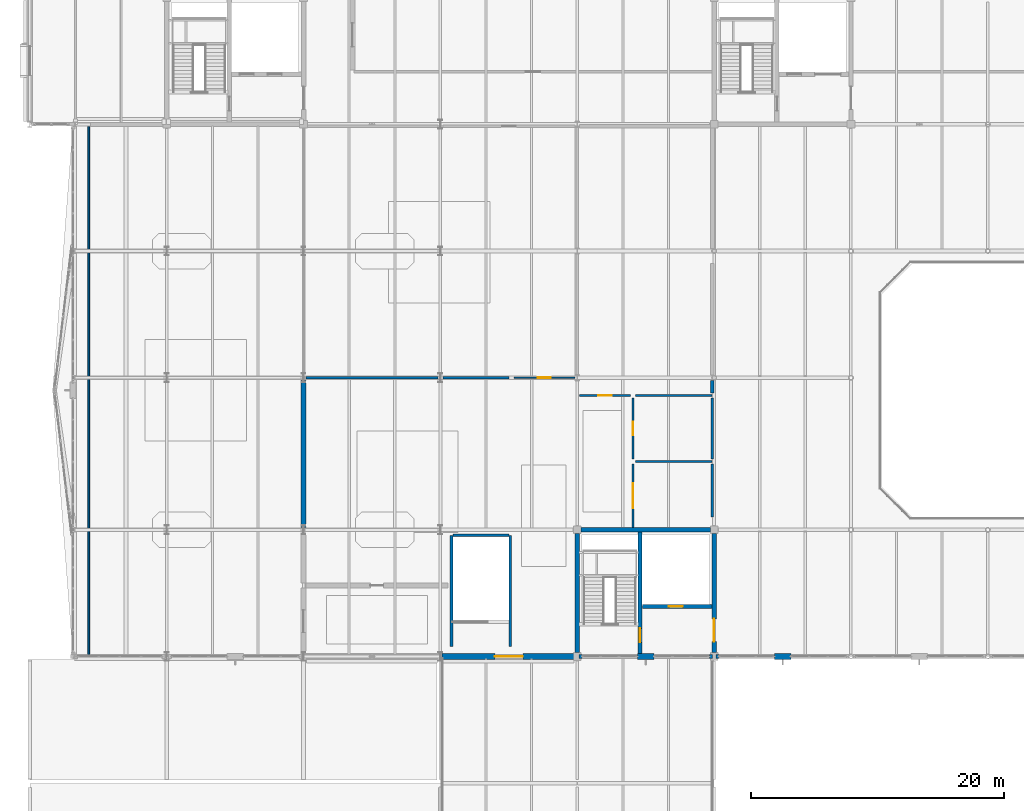
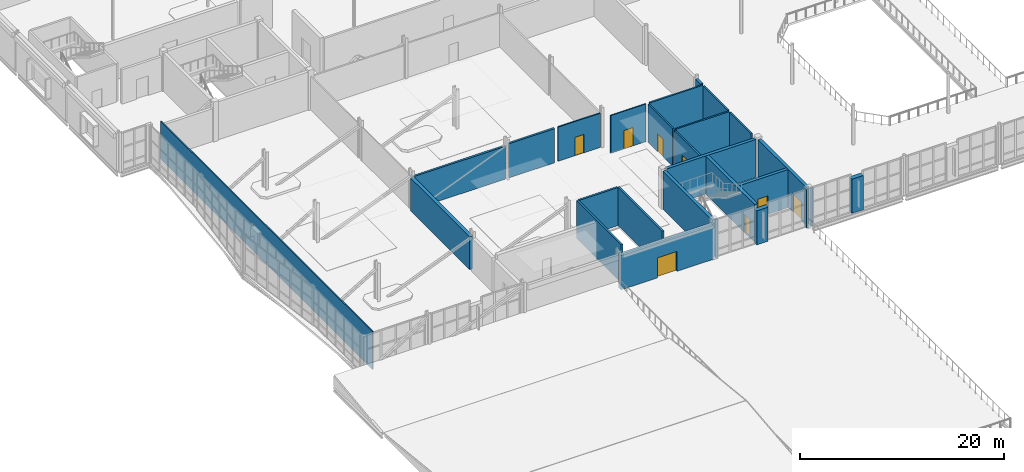
# One storey, part 84 of 100: 27 walls, 8 doors, 8 openings.
"""IFC4 building model written with IfcOpenShell, lengths in metres."""

from ifc_helpers import new_model, si_unit, direction, frame, frame_2d, origin, place, context, subcontext, project, spatial, rectangle, extrude, material, layer, layer_set, type_object, element, fill, save


model = new_model("IFC4")

# Units and contexts
model_context = context("Model", 3, precision=1e-05, world=origin(), true_north=direction((0.0, 1.0)))
body_context = subcontext(model_context, "Body", "Model", "MODEL_VIEW")
ifc_project = project(units=[si_unit("LENGTHUNIT", "METRE"), si_unit("AREAUNIT", "SQUARE_METRE"), si_unit("VOLUMEUNIT", "CUBIC_METRE"), si_unit("PLANEANGLEUNIT", "RADIAN"), si_unit("MASSUNIT", "GRAM", prefix="KILO")], contexts=[model_context])

# Site, building, storey
site_placement = place(None, origin())
site = spatial("IfcSite", under=ifc_project, at=site_placement, CompositionType="ELEMENT")
building_placement = place(site_placement, origin())
building = spatial("IfcBuilding", under=site, at=building_placement, Name="Tasgan Crest Museum", CompositionType="ELEMENT")
storey_placement = place(building_placement, frame((0.0, 0.0, 9.60009765625)))
storey = spatial("IfcBuildingStorey", under=building, at=storey_placement, Name="L02", CompositionType="ELEMENT", Elevation=9.60009765625)

# Walls
ifc_material_1 = material(Name="Concrete C40/50", Category="concrete")
ifc_layer_1 = layer(ifc_material_1, 0.35009765625, Name="WL-CORE-350")
ifc_layer_set_1 = layer_set([ifc_layer_1], Name="Concrete C40/50")
wall_type_1 = type_object("IfcWallType", Name="WL-CORE-350", PredefinedType="SHEAR", material=ifc_layer_set_1)
wall_1_placement = place(storey_placement, frame((43.5, 50.0, 0.0), z_axis=(0.0, 0.0, 1.0), x_axis=(1.0, 0.0, 0.0)))
element("IfcWall", 1, at=wall_1_placement, inside=storey, type_object=wall_type_1, Name="South-West Foyer & Paleontology Core north shear wall L02", PredefinedType="SHEAR", context=body_context, shape_type="SweptSolid", body=[
    extrude(rectangle(XDim=10.199951171875, YDim=0.35009765625, at=frame_2d((5.10009765625, 0.0))), origin(), (0.0, 0.0, 1.0), 4.559814453125),
])
wall_2_placement = place(storey_placement, frame((43.199951171875, 40.300048828125, 0.0), z_axis=(0.0, 0.0, 1.0), x_axis=(0.0, 1.0, 0.0)))
element("IfcWall", 2, at=wall_2_placement, inside=storey, type_object=wall_type_1, Name="South-West Foyer & Paleontology Core west shear wall L02", PredefinedType="SHEAR", context=body_context, shape_type="SweptSolid", body=[
    extrude(rectangle(XDim=9.39990234375, YDim=0.35009765625, at=frame_2d((4.699951171875, 0.0))), origin(), (0.0, 0.0, 1.0), 4.559814453125),
])

# Wall, opening, door
wall_3_placement = place(storey_placement, frame((54.0, 40.300048828125, 0.0), z_axis=(0.0, 0.0, 1.0), x_axis=(0.0, 1.0, 0.0)))
wall_3 = element("IfcWall", 3, at=wall_3_placement, inside=storey, type_object=wall_type_1, Name="South-West Foyer & Paleontology Core east shear wall L02", PredefinedType="SHEAR", context=body_context, shape_type="SweptSolid", body=[
    extrude(rectangle(XDim=9.39990234375, YDim=0.35009765625, at=frame_2d((4.699951171875, 0.0))), origin(), (0.0, 0.0, 1.0), 4.559814453125),
])
opening_1_placement = place(wall_3_placement, frame((0.8798828125, 0.0, 0.0)))
opening_1 = element("IfcOpeningElement", 4, at=opening_1_placement, cuts=wall_3, Name="Opening LD-SW-L02", PredefinedType="OPENING", context=body_context, shape_type="SweptSolid", body=[
    extrude(rectangle(XDim=1.800048828125, YDim=2.25, at=frame_2d((0.89990234375, 1.125))), frame((0.0, 0.18505859375, 0.0), z_axis=(0.0, -1.0, 0.0), x_axis=(1.0, 0.0, 0.0)), (0.0, 0.0, 1.0), 0.3701171875),
])
ifc_material_2 = material(Name="Fire-Rated Double Lobby Door")
door_type_1 = type_object("IfcDoorType", Name="DR-FD2-1800", OperationType="NOTDEFINED", PredefinedType="DOOR", material=ifc_material_2)
door_1_placement = place(opening_1_placement, origin())
door_1 = element("IfcDoor", 5, at=door_1_placement, inside=storey, type_object=door_type_1, Name="South-West Foyer & Paleontology Core lobby door L02", OperationType="DOUBLE_DOOR_SINGLE_SWING", OverallHeight=2.25, OverallWidth=1.800048828125, PredefinedType="DOOR", context=body_context, shape_type="SweptSolid", body=[
    extrude(rectangle(XDim=1.800048828125, YDim=2.25, at=frame_2d((0.89990234375, 1.125))), frame((0.0, 0.02490234375, 0.0), z_axis=(0.0, -1.0, 0.0), x_axis=(1.0, 0.0, 0.0)), (0.0, 0.0, 1.0), 0.050048828125),
])
fill(opening_1, door_1)

wall_4_placement = place(storey_placement, frame((48.14990234375, 40.219970703125, 0.0), z_axis=(0.0, 0.0, 1.0), x_axis=(0.0, 1.0, 0.0)))
wall_4 = element("IfcWall", 6, at=wall_4_placement, inside=storey, type_object=wall_type_1, Name="South-West Foyer & Paleontology Core stair-lobby shear wall L02", PredefinedType="SHEAR", context=body_context, shape_type="SweptSolid", body=[
    extrude(rectangle(XDim=9.60498046875, YDim=0.35009765625, at=frame_2d((4.802490234375, 0.0))), origin(), (0.0, 0.0, 1.0), 4.559814453125),
])
opening_2_placement = place(wall_4_placement, frame((0.89990234375, 0.0, 0.0)))
opening_2 = element("IfcOpeningElement", 7, at=opening_2_placement, cuts=wall_4, Name="Opening SD-SW-L02", PredefinedType="OPENING", context=body_context, shape_type="SweptSolid", body=[
    extrude(rectangle(XDim=1.10009765625, YDim=2.199951171875, at=frame_2d((0.550048828125, 1.10009765625))), frame((0.0, 0.18505859375, 0.0), z_axis=(0.0, -1.0, 0.0), x_axis=(1.0, 0.0, 0.0)), (0.0, 0.0, 1.0), 0.3701171875),
])
ifc_material_3 = material(Name="Fire-Rated Steel Door", Category="steel")
door_type_2 = type_object("IfcDoorType", Name="DR-FD1-1100", OperationType="NOTDEFINED", PredefinedType="DOOR", material=ifc_material_3)
door_2_placement = place(opening_2_placement, origin())
door_2 = element("IfcDoor", 8, at=door_2_placement, inside=storey, type_object=door_type_2, Name="South-West Foyer & Paleontology Core stair door L02", OperationType="SINGLE_SWING_LEFT", OverallHeight=2.199951171875, OverallWidth=1.10009765625, PredefinedType="DOOR", context=body_context, shape_type="SweptSolid", body=[
    extrude(rectangle(XDim=1.10009765625, YDim=2.199951171875, at=frame_2d((0.550048828125, 1.10009765625))), frame((0.0, 0.02490234375, 0.0), z_axis=(0.0, -1.0, 0.0), x_axis=(1.0, 0.0, 0.0)), (0.0, 0.0, 1.0), 0.050048828125),
])
fill(opening_2, door_2)

wall_5_placement = place(storey_placement, frame((48.330078125, 43.949951171875, 0.0), z_axis=(0.0, 0.0, 1.0), x_axis=(1.0, 0.0, 0.0)))
wall_5 = element("IfcWall", 9, at=wall_5_placement, inside=storey, type_object=wall_type_1, Name="South-West Foyer & Paleontology Core lift-shaft wall L02", PredefinedType="SHEAR", context=body_context, shape_type="SweptSolid", body=[
    extrude(rectangle(XDim=5.489990234375, YDim=0.35009765625, at=frame_2d((2.7451171875, 0.0))), origin(), (0.0, 0.0, 1.0), 4.559814453125),
])
opening_3_placement = place(wall_5_placement, frame((2.10009765625, 0.0, 0.0)))
opening_3 = element("IfcOpeningElement", 10, at=opening_3_placement, cuts=wall_5, Name="Opening LD-PL3", PredefinedType="OPENING", context=body_context, shape_type="SweptSolid", body=[
    extrude(rectangle(XDim=1.10009765625, YDim=2.199951171875, at=frame_2d((0.550048828125, 1.10009765625))), frame((0.0, 0.18505859375, 0.0), z_axis=(0.0, -1.0, 0.0), x_axis=(1.0, 0.0, 0.0)), (0.0, 0.0, 1.0), 0.3701171875),
])
ifc_material_4 = material(Name="Brushed Bronze Passenger Lift Landing Door")
door_type_3 = type_object("IfcDoorType", Name="LD-PAX-1100", OperationType="NOTDEFINED", PredefinedType="DOOR", material=ifc_material_4)
door_3_placement = place(opening_3_placement, origin())
door_3 = element("IfcDoor", 11, at=door_3_placement, inside=storey, type_object=door_type_3, Name="Lift landing sliding door PL3 L02", OperationType="DOUBLE_DOOR_SLIDING", OverallHeight=2.199951171875, OverallWidth=1.10009765625, PredefinedType="DOOR", context=body_context, shape_type="SweptSolid", body=[
    extrude(rectangle(XDim=1.10009765625, YDim=2.199951171875, at=frame_2d((0.550048828125, 1.10009765625))), frame((0.0, 0.02490234375, 0.0), z_axis=(0.0, -1.0, 0.0), x_axis=(1.0, 0.0, 0.0)), (0.0, 0.0, 1.0), 0.050048828125),
])
fill(opening_3, door_3)

# Walls
ifc_material_5 = material(Name="Precast concrete C40/50", Category="concrete")
ifc_layer_2 = layer(ifc_material_5, 0.320068359375, Name="WL-EXT-CLER-320")
ifc_layer_set_2 = layer_set([ifc_layer_2], Name="Precast concrete C40/50")
wall_type_2 = type_object("IfcWallType", Name="WL-EXT-CLER-320", PredefinedType="STANDARD", material=ifc_layer_set_2)
for number, where, z_axis, x_axis, name in (
    (12, (43.344970703125, 40.0, 0.0), (0.0, 0.0, 1.0), (1.0, 0.0, 0.0), "Curtain wall jamb closure L02 JL"),
    (13, (53.6298828125, 40.0, 0.0), (0.0, 0.0, 1.0), (1.0, 0.0, 0.0), "Curtain wall jamb closure L02 JR"),
    (14, (54.14501953125, 40.0, 0.0), (0.0, 0.0, 1.0), (1.0, 0.0, 0.0), "Curtain wall jamb closure L02 JL"),
):
    element("IfcWall", number, at=place(storey_placement, frame(where, z_axis=z_axis, x_axis=x_axis)), inside=storey, type_object=wall_type_2, Name=name, PredefinedType="STANDARD", context=body_context, shape_type="SweptSolid", body=[
        extrude(rectangle(XDim=0.22509765625, YDim=0.300048828125, at=frame_2d((0.112548828125, 0.0))), origin(), (0.0, 0.0, 1.0), 4.559814453125),
    ])

# Wall, opening, door
ifc_material_6 = material(Name="Precast concrete C40/50", Category="concrete")
ifc_layer_3 = layer(ifc_material_6, 0.47998046875, Name="WL-EXT-GRAN-480")
ifc_layer_set_3 = layer_set([ifc_layer_3], Name="Precast concrete C40/50")
wall_type_3 = type_object("IfcWallType", Name="WL-EXT-GRAN-480", PredefinedType="STANDARD", material=ifc_layer_set_3)
wall_6_placement = place(storey_placement, frame((32.544921875, 40.0, 0.0), z_axis=(0.0, 0.0, 1.0), x_axis=(1.0, 0.0, 0.0)))
wall_6 = element("IfcWall", 15, at=wall_6_placement, inside=storey, type_object=wall_type_3, Name="Exterior wall L02 (37.8,40.0)", PredefinedType="STANDARD", context=body_context, shape_type="SweptSolid", body=[
    extrude(rectangle(XDim=10.510009765625, YDim=0.47998046875, at=frame_2d((5.2548828125, 0.0))), origin(), (0.0, 0.0, 1.0), 4.08984375),
])
opening_4_placement = place(wall_6_placement, frame((4.155029296875, 0.0, 0.0)))
opening_4 = element("IfcOpeningElement", 16, at=opening_4_placement, cuts=wall_6, Name="Opening ED016", PredefinedType="OPENING", context=body_context, shape_type="SweptSolid", body=[
    extrude(rectangle(XDim=2.199951171875, YDim=2.39990234375, at=frame_2d((1.10009765625, 1.199951171875))), frame((0.0, 0.25, 0.0), z_axis=(0.0, -1.0, 0.0), x_axis=(1.0, 0.0, 0.0)), (0.0, 0.0, 1.0), 0.5),
])
ifc_material_7 = material(Name="Thermally Broken Insulated Steel and Bronze", Category="steel")
door_type_4 = type_object("IfcDoorType", Name="DR-TERR-DBL-2200", OperationType="NOTDEFINED", PredefinedType="DOOR", material=ifc_material_7)
door_4_placement = place(opening_4_placement, frame((2.199951171875, 0.0, 0.0), z_axis=(0.0, 0.0, 1.0), x_axis=(-1.0, 0.0, 0.0)))
door_4 = element("IfcDoor", 17, at=door_4_placement, inside=storey, type_object=door_type_4, Name="South sculpture terrace access door ED016", OperationType="DOUBLE_DOOR_SINGLE_SWING", OverallHeight=2.39990234375, OverallWidth=2.199951171875, PredefinedType="DOOR", context=body_context, shape_type="SweptSolid", body=[
    extrude(rectangle(XDim=2.199951171875, YDim=2.39990234375, at=frame_2d((1.10009765625, 1.199951171875))), frame((0.0, 0.02490234375, 0.0), z_axis=(0.0, -1.0, 0.0), x_axis=(1.0, 0.0, 0.0)), (0.0, 0.0, 1.0), 0.050048828125),
])
fill(opening_4, door_4)

# Walls
wall_7_placement = place(storey_placement, frame((47.949951171875, 40.0, 0.0), z_axis=(0.0, 0.0, 1.0), x_axis=(1.0, 0.0, 0.0)))
element("IfcWall", 18, at=wall_7_placement, inside=storey, type_object=wall_type_3, Name="Postmodern facade stone pier L02", PredefinedType="STANDARD", context=body_context, shape_type="SweptSolid", body=[
    extrude(rectangle(XDim=1.300048828125, YDim=0.47998046875, at=frame_2d((0.64990234375, 0.0))), origin(), (0.0, 0.0, 1.0), 4.08984375),
])
wall_8_placement = place(storey_placement, frame((58.75, 40.0, 0.0), z_axis=(0.0, 0.0, 1.0), x_axis=(1.0, 0.0, 0.0)))
element("IfcWall", 19, at=wall_8_placement, inside=storey, type_object=wall_type_3, Name="Postmodern facade stone pier L02", PredefinedType="STANDARD", context=body_context, shape_type="SweptSolid", body=[
    extrude(rectangle(XDim=1.300048828125, YDim=0.47998046875, at=frame_2d((0.64990234375, 0.0))), origin(), (0.0, 0.0, 1.0), 4.10986328125),
])

# Wall, opening, door
ifc_material_8 = material(Name="Sanitary Plumbing Chase Wall")
ifc_layer_4 = layer(ifc_material_8, 0.179931640625, Name="WL-PLUMB-180")
ifc_layer_set_4 = layer_set([ifc_layer_4], Name="Sanitary Plumbing Chase Wall")
wall_type_4 = type_object("IfcWallType", Name="WL-PLUMB-180", PredefinedType="PLUMBINGWALL", material=ifc_layer_set_4)
wall_9_placement = place(storey_placement, frame((47.60009765625, 50.179931640625, 0.0), z_axis=(0.0, 0.0, 1.0), x_axis=(0.0, 1.0, 0.0)))
wall_9 = element("IfcWall", 20, at=wall_9_placement, inside=storey, type_object=wall_type_4, Name="Partition Second Floor Sanitary Vestibule / Second Floor Public WC L02", PredefinedType="PLUMBINGWALL", context=body_context, shape_type="SweptSolid", body=[
    extrude(rectangle(XDim=5.02001953125, YDim=0.179931640625, at=frame_2d((2.510009765625, 0.0))), origin(), (0.0, 0.0, 1.0), 4.52001953125),
])
opening_5_placement = place(wall_9_placement, frame((1.534912109375, 0.0, 0.0)))
opening_5 = element("IfcOpeningElement", 21, at=opening_5_placement, cuts=wall_9, Name="Opening D070", PredefinedType="OPENING", context=body_context, shape_type="SweptSolid", body=[
    extrude(rectangle(XDim=1.949951171875, YDim=2.5, at=frame_2d((0.97509765625, 1.25))), frame((0.0, 0.099853515625, 0.0), z_axis=(0.0, -1.0, 0.0), x_axis=(1.0, 0.0, 0.0)), (0.0, 0.0, 1.0), 0.199951171875),
])
ifc_material_9 = material(Name="Oak and Brushed Bronze Acoustic Door")
door_type_5 = type_object("IfcDoorType", Name="DR-SCH-14", OperationType="NOTDEFINED", PredefinedType="DOOR", material=ifc_material_9)
door_5_placement = place(opening_5_placement, origin())
door_5 = element("IfcDoor", 22, at=door_5_placement, inside=storey, type_object=door_type_5, Name="Second Floor Public WC door D070", OperationType="DOUBLE_DOOR_SINGLE_SWING", OverallHeight=2.5, OverallWidth=1.949951171875, PredefinedType="DOOR", context=body_context, shape_type="SweptSolid", body=[
    extrude(rectangle(XDim=1.949951171875, YDim=2.5, at=frame_2d((0.97509765625, 1.25))), frame((0.0, 0.02490234375, 0.0), z_axis=(0.0, -1.0, 0.0), x_axis=(1.0, 0.0, 0.0)), (0.0, 0.0, 1.0), 0.050048828125),
])
fill(opening_5, door_5)

wall_10_placement = place(storey_placement, frame((47.60009765625, 55.60009765625, 0.0), z_axis=(0.0, 0.0, 1.0), x_axis=(0.0, 1.0, 0.0)))
wall_10 = element("IfcWall", 23, at=wall_10_placement, inside=storey, type_object=wall_type_4, Name="Partition Second Floor Sanitary Vestibule / Second Floor Accessible WC L02", PredefinedType="PLUMBINGWALL", context=body_context, shape_type="SweptSolid", body=[
    extrude(rectangle(XDim=4.7998046875, YDim=0.179931640625, at=frame_2d((2.39990234375, 0.0))), origin(), (0.0, 0.0, 1.0), 4.52001953125),
])
opening_6_placement = place(wall_10_placement, frame((1.875, 0.0, 0.0)))
opening_6 = element("IfcOpeningElement", 24, at=opening_6_placement, cuts=wall_10, Name="Opening D071", PredefinedType="OPENING", context=body_context, shape_type="SweptSolid", body=[
    extrude(rectangle(XDim=1.050048828125, YDim=2.14990234375, at=frame_2d((0.52490234375, 1.074951171875))), frame((0.0, 0.099853515625, 0.0), z_axis=(0.0, -1.0, 0.0), x_axis=(1.0, 0.0, 0.0)), (0.0, 0.0, 1.0), 0.199951171875),
])
ifc_material_10 = material(Name="Accessible WC Outward-Opening Door")
door_type_6 = type_object("IfcDoorType", Name="DR-WC-ACC-1050", OperationType="NOTDEFINED", PredefinedType="DOOR", material=ifc_material_10)
door_6_placement = place(opening_6_placement, origin())
door_6 = element("IfcDoor", 25, at=door_6_placement, inside=storey, type_object=door_type_6, Name="Second Floor Accessible WC door D071", OperationType="SINGLE_SWING_LEFT", OverallHeight=2.14990234375, OverallWidth=1.050048828125, PredefinedType="DOOR", context=body_context, shape_type="SweptSolid", body=[
    extrude(rectangle(XDim=1.050048828125, YDim=2.14990234375, at=frame_2d((0.52490234375, 1.074951171875))), frame((0.0, 0.02490234375, 0.0), z_axis=(0.0, -1.0, 0.0), x_axis=(1.0, 0.0, 0.0)), (0.0, 0.0, 1.0), 0.050048828125),
])
fill(opening_6, door_6)

# Walls
for number, where, z_axis, x_axis, name in (
    (26, (47.800048828125, 55.39990234375, 0.0), (0.0, 0.0, 1.0), (1.0, 0.0, 0.0), "Partition Second Floor Public WC / Second Floor Accessible WC L02"),
    (27, (47.800048828125, 60.60009765625, 0.0), (0.0, 0.0, 1.0), (1.0, 0.0, 0.0), "Partition Second Floor Accessible WC / Sculpture Terrace Reading Lounge L02"),
):
    element("IfcWall", number, at=place(storey_placement, frame(where, z_axis=z_axis, x_axis=x_axis)), inside=storey, type_object=wall_type_4, Name=name, PredefinedType="PLUMBINGWALL", context=body_context, shape_type="SweptSolid", body=[
        extrude(rectangle(XDim=6.02001953125, YDim=0.179931640625, at=frame_2d((3.010009765625, 0.0))), origin(), (0.0, 0.0, 1.0), 4.52001953125),
    ])
wall_11_placement = place(storey_placement, frame((53.860107421875, 51.0, 0.0), z_axis=(0.0, 0.0, 1.0), x_axis=(0.0, 1.0, 0.0)))
element("IfcWall", 28, at=wall_11_placement, inside=storey, type_object=wall_type_4, Name="Partition Second Floor Public WC / Second Floor West Atrium Balcony L02", PredefinedType="PLUMBINGWALL", context=body_context, shape_type="SweptSolid", body=[
    extrude(rectangle(XDim=4.199951171875, YDim=0.179931640625, at=frame_2d((2.10009765625, 0.0))), origin(), (0.0, 0.0, 1.0), 4.52001953125),
])
wall_12_placement = place(storey_placement, frame((53.860107421875, 55.60009765625, 0.0), z_axis=(0.0, 0.0, 1.0), x_axis=(0.0, 1.0, 0.0)))
element("IfcWall", 29, at=wall_12_placement, inside=storey, type_object=wall_type_4, Name="Partition Second Floor Accessible WC / Second Floor West Atrium Balcony L02", PredefinedType="PLUMBINGWALL", context=body_context, shape_type="SweptSolid", body=[
    extrude(rectangle(XDim=4.7998046875, YDim=0.179931640625, at=frame_2d((2.39990234375, 0.0))), origin(), (0.0, 0.0, 1.0), 4.52001953125),
])

# Wall, opening, door
ifc_material_11 = material(Name="Gypsum Acoustic Museum Partition")
ifc_layer_5 = layer(ifc_material_11, 0.1298828125, Name="WL-SCH-02")
ifc_layer_set_5 = layer_set([ifc_layer_5], Name="Gypsum Acoustic Museum Partition")
wall_type_5 = type_object("IfcWallType", Name="WL-SCH-02", PredefinedType="PARTITIONING", material=ifc_layer_set_5)
wall_13_placement = place(storey_placement, frame((43.3798828125, 60.60009765625, 0.0), z_axis=(0.0, 0.0, 1.0), x_axis=(1.0, 0.0, 0.0)))
wall_13 = element("IfcWall", 30, at=wall_13_placement, inside=storey, type_object=wall_type_5, Name="Partition Second Floor Sanitary Vestibule / Sculpture Terrace Reading Lounge L02", PredefinedType="PARTITIONING", context=body_context, shape_type="SweptSolid", body=[
    extrude(rectangle(XDim=4.02001953125, YDim=0.1298828125, at=frame_2d((2.010009765625, 0.0))), origin(), (0.0, 0.0, 1.0), 4.52001953125),
])
opening_7_placement = place(wall_13_placement, frame((1.489990234375, 0.0, 0.0)))
opening_7 = element("IfcOpeningElement", 31, at=opening_7_placement, cuts=wall_13, Name="Opening D059", PredefinedType="OPENING", context=body_context, shape_type="SweptSolid", body=[
    extrude(rectangle(XDim=1.0400390625, YDim=2.199951171875, at=frame_2d((0.52001953125, 1.10009765625))), frame((0.0, 0.074951171875, 0.0), z_axis=(0.0, -1.0, 0.0), x_axis=(1.0, 0.0, 0.0)), (0.0, 0.0, 1.0), 0.14990234375),
])
ifc_material_12 = material(Name="Oak and Brushed Bronze Acoustic Door")
door_type_7 = type_object("IfcDoorType", Name="DR-SCH-03", OperationType="NOTDEFINED", PredefinedType="DOOR", material=ifc_material_12)
door_7_placement = place(opening_7_placement, origin())
door_7 = element("IfcDoor", 32, at=door_7_placement, inside=storey, type_object=door_type_7, Name="Sculpture Terrace Reading Lounge door D059", OperationType="SINGLE_SWING_LEFT", OverallHeight=2.199951171875, OverallWidth=1.0400390625, PredefinedType="DOOR", context=body_context, shape_type="SweptSolid", body=[
    extrude(rectangle(XDim=1.0400390625, YDim=2.199951171875, at=frame_2d((0.52001953125, 1.10009765625))), frame((0.0, 0.02490234375, 0.0), z_axis=(0.0, -1.0, 0.0), x_axis=(1.0, 0.0, 0.0)), (0.0, 0.0, 1.0), 0.050048828125),
])
fill(opening_7, door_7)

# Wall
wall_14_placement = place(storey_placement, frame((4.64990234375, 40.179931640625, 0.0), z_axis=(0.0, 0.0, 1.0), x_axis=(0.0, 1.0, 0.0)))
element("IfcWall", 33, at=wall_14_placement, inside=storey, type_object=wall_type_5, Name="Partition Cantilevered Panorama Natural History Gallery / Circulation L02", PredefinedType="PARTITIONING", context=body_context, shape_type="SweptSolid", body=[
    extrude(rectangle(XDim=41.64013671875, YDim=0.1298828125, at=frame_2d((20.820068359375, 0.0))), origin(), (0.0, 0.0, 1.0), 4.52001953125),
])

# Wall, opening, door
ifc_material_13 = material(Name="Gypsum Acoustic Museum Partition")
ifc_layer_6 = layer(ifc_material_13, 0.14990234375, Name="WL-SCH-03")
ifc_layer_set_6 = layer_set([ifc_layer_6], Name="Gypsum Acoustic Museum Partition")
wall_type_6 = type_object("IfcWallType", Name="WL-SCH-03", PredefinedType="PARTITIONING", material=ifc_layer_set_6)
wall_15_placement = place(storey_placement, frame((38.199951171875, 62.0, 0.0), z_axis=(0.0, 0.0, 1.0), x_axis=(1.0, 0.0, 0.0)))
wall_15 = element("IfcWall", 34, at=wall_15_placement, inside=storey, type_object=wall_type_6, Name="Partition Second Floor Core Link Corridor / Sauropod Footprint Fossil Gallery L02", PredefinedType="PARTITIONING", context=body_context, shape_type="SweptSolid", body=[
    extrude(rectangle(XDim=4.820068359375, YDim=0.14990234375, at=frame_2d((2.41015625, 0.0))), origin(), (0.0, 0.0, 1.0), 4.098876953125),
])
opening_8_placement = place(wall_15_placement, frame((1.89990234375, 0.0, 0.0)))
opening_8 = element("IfcOpeningElement", 35, at=opening_8_placement, cuts=wall_15, Name="Opening D060", PredefinedType="OPENING", context=body_context, shape_type="SweptSolid", body=[
    extrude(rectangle(XDim=1.02001953125, YDim=2.199951171875, at=frame_2d((0.510009765625, 1.10009765625))), frame((0.0, 0.0849609375, 0.0), z_axis=(0.0, -1.0, 0.0), x_axis=(1.0, 0.0, 0.0)), (0.0, 0.0, 1.0), 0.169921875),
])
ifc_material_14 = material(Name="Oak and Brushed Bronze Acoustic Door")
door_type_8 = type_object("IfcDoorType", Name="DR-SCH-04", OperationType="NOTDEFINED", PredefinedType="DOOR", material=ifc_material_14)
door_8_placement = place(opening_8_placement, origin())
door_8 = element("IfcDoor", 36, at=door_8_placement, inside=storey, type_object=door_type_8, Name="Sauropod Footprint Fossil Gallery door D060", OperationType="SINGLE_SWING_RIGHT", OverallHeight=2.199951171875, OverallWidth=1.02001953125, PredefinedType="DOOR", context=body_context, shape_type="SweptSolid", body=[
    extrude(rectangle(XDim=1.02001953125, YDim=2.199951171875, at=frame_2d((0.510009765625, 1.10009765625))), frame((0.0, 0.02490234375, 0.0), z_axis=(0.0, -1.0, 0.0), x_axis=(1.0, 0.0, 0.0)), (0.0, 0.0, 1.0), 0.050048828125),
])
fill(opening_8, door_8)

# Walls
ifc_material_15 = material(Name="Gypsum Acoustic Museum Partition")
ifc_layer_7 = layer(ifc_material_15, 0.22998046875, Name="WL-SCH-07")
ifc_layer_set_7 = layer_set([ifc_layer_7], Name="Gypsum Acoustic Museum Partition")
wall_type_7 = type_object("IfcWallType", Name="WL-SCH-07", PredefinedType="PARTITIONING", material=ifc_layer_set_7)
wall_16_placement = place(storey_placement, frame((21.780029296875, 62.0, 0.0), z_axis=(0.0, 0.0, 1.0), x_axis=(1.0, 0.0, 0.0)))
element("IfcWall", 37, at=wall_16_placement, inside=storey, type_object=wall_type_7, Name="Partition Theropod Evolution Exhibition Gallery / Sauropod Footprint Fossil Gallery L02", PredefinedType="PARTITIONING", context=body_context, shape_type="SweptSolid", body=[
    extrude(rectangle(XDim=10.419921875, YDim=0.22998046875, at=frame_2d((5.2099609375, 0.0))), origin(), (0.0, 0.0, 1.0), 3.93994140625),
])
wall_17_placement = place(storey_placement, frame((32.60009765625, 62.0, 0.0), z_axis=(0.0, 0.0, 1.0), x_axis=(1.0, 0.0, 0.0)))
element("IfcWall", 38, at=wall_17_placement, inside=storey, type_object=wall_type_7, Name="Partition Theropod Evolution Exhibition Gallery / Sauropod Footprint Fossil Gallery L02", PredefinedType="PARTITIONING", context=body_context, shape_type="SweptSolid", body=[
    extrude(rectangle(XDim=5.199951171875, YDim=0.22998046875, at=frame_2d((2.60009765625, 0.0))), origin(), (0.0, 0.0, 1.0), 4.098876953125),
])
ifc_material_16 = material(Name="Gypsum Acoustic Museum Partition")
ifc_layer_8 = layer(ifc_material_16, 0.2900390625, Name="WL-SCH-09")
ifc_layer_set_8 = layer_set([ifc_layer_8], Name="Gypsum Acoustic Museum Partition")
wall_type_8 = type_object("IfcWallType", Name="WL-SCH-09", PredefinedType="PARTITIONING", material=ifc_layer_set_8)
wall_18_placement = place(storey_placement, frame((53.860107421875, 60.800048828125, 0.0), z_axis=(0.0, 0.0, 1.0), x_axis=(0.0, 1.0, 0.0)))
element("IfcWall", 39, at=wall_18_placement, inside=storey, type_object=wall_type_8, Name="Partition Sculpture Terrace Reading Lounge / Second Floor West Atrium Balcony L02", PredefinedType="PARTITIONING", context=body_context, shape_type="SweptSolid", body=[
    extrude(rectangle(XDim=1.0, YDim=0.2900390625, at=frame_2d((0.5, 0.0))), origin(), (0.0, 0.0, 1.0), 4.52001953125),
])
ifc_material_17 = material(Name="Gypsum Acoustic Museum Partition")
ifc_layer_9 = layer(ifc_material_17, 0.389892578125, Name="WL-SCH-13")
ifc_layer_set_9 = layer_set([ifc_layer_9], Name="Gypsum Acoustic Museum Partition")
wall_type_9 = type_object("IfcWallType", Name="WL-SCH-13", PredefinedType="PARTITIONING", material=ifc_layer_set_9)
wall_19_placement = place(storey_placement, frame((21.60009765625, 50.199951171875, 0.0), z_axis=(0.0, 0.0, 1.0), x_axis=(0.0, 1.0, 0.0)))
element("IfcWall", 40, at=wall_19_placement, inside=storey, type_object=wall_type_9, Name="Partition Cantilevered Panorama Natural History Gallery / Theropod Evolution Exhibition Gallery L02", PredefinedType="PARTITIONING", context=body_context, shape_type="SweptSolid", body=[
    extrude(rectangle(XDim=11.6201171875, YDim=0.389892578125, at=frame_2d((5.81005859375, 0.0))), origin(), (0.0, 0.0, 1.0), 3.93994140625),
])
ifc_material_18 = material(Name="Concrete C40/50", Category="concrete")
ifc_layer_10 = layer(ifc_material_18, 0.219970703125, Name="WL-SHAFT-220")
ifc_layer_set_10 = layer_set([ifc_layer_10], Name="Concrete C40/50")
wall_type_10 = type_object("IfcWallType", Name="WL-SHAFT-220", PredefinedType="SHEAR", material=ifc_layer_set_10)
for number, where, z_axis, x_axis, name in (
    (41, (33.280029296875, 40.800048828125, 0.0), (0.0, 0.0, 1.0), (0.0, 1.0, 0.0), "GALP stairwell wall L02 W"),
    (42, (37.919921875, 40.800048828125, 0.0), (0.0, 0.0, 1.0), (0.0, 1.0, 0.0), "GALP stairwell wall L02 E"),
):
    element("IfcWall", number, at=place(storey_placement, frame(where, z_axis=z_axis, x_axis=x_axis)), inside=storey, type_object=wall_type_10, Name=name, PredefinedType="SHEAR", context=body_context, shape_type="SweptSolid", body=[
        extrude(rectangle(XDim=8.77001953125, YDim=0.219970703125, at=frame_2d((4.385009765625, 0.0))), origin(), (0.0, 0.0, 1.0), 4.559814453125),
    ])
wall_20_placement = place(storey_placement, frame((33.39990234375, 49.570068359375, 0.0), z_axis=(0.0, 0.0, 1.0), x_axis=(1.0, 0.0, 0.0)))
element("IfcWall", 43, at=wall_20_placement, inside=storey, type_object=wall_type_10, Name="GALP stairwell wall L02 N", PredefinedType="SHEAR", context=body_context, shape_type="SweptSolid", body=[
    extrude(rectangle(XDim=4.400146484375, YDim=0.219970703125, at=frame_2d((2.2001953125, 0.0))), origin(), (0.0, 0.0, 1.0), 4.559814453125),
])

save(model, "model.ifc")
